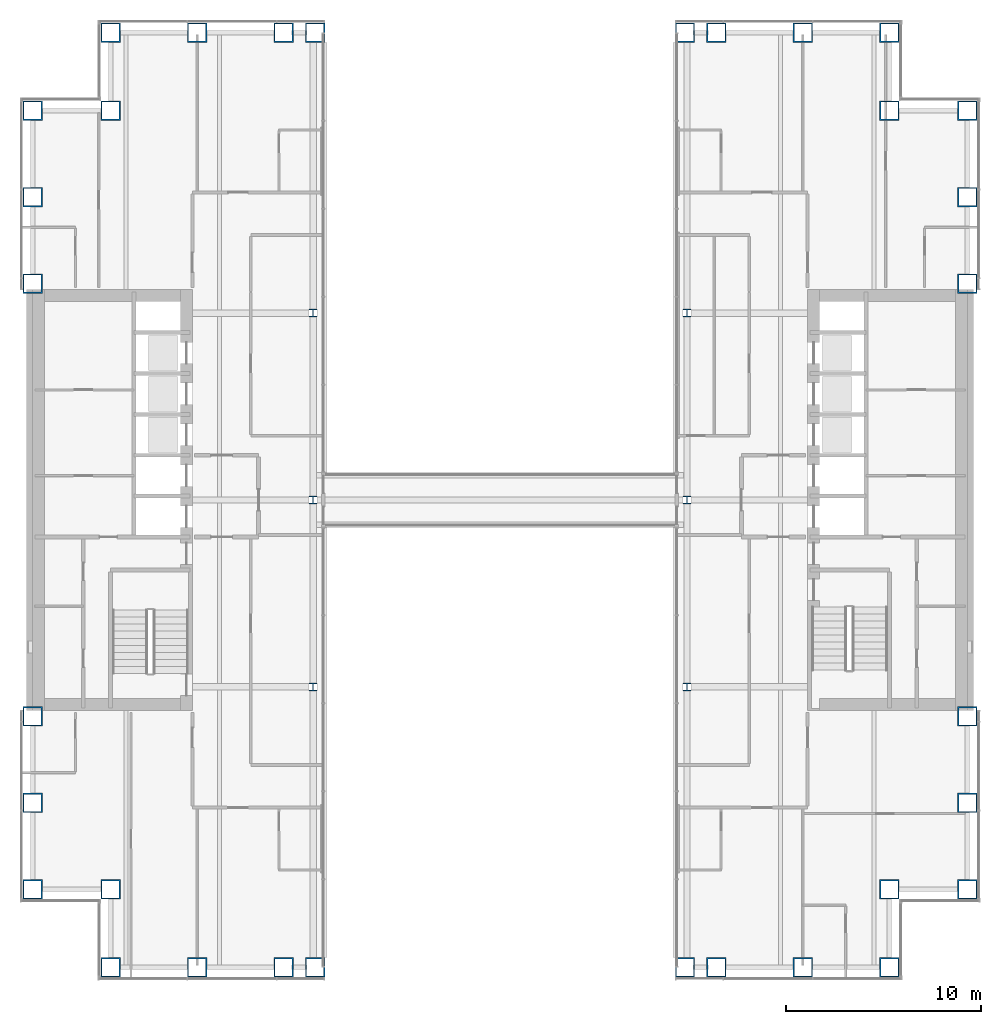
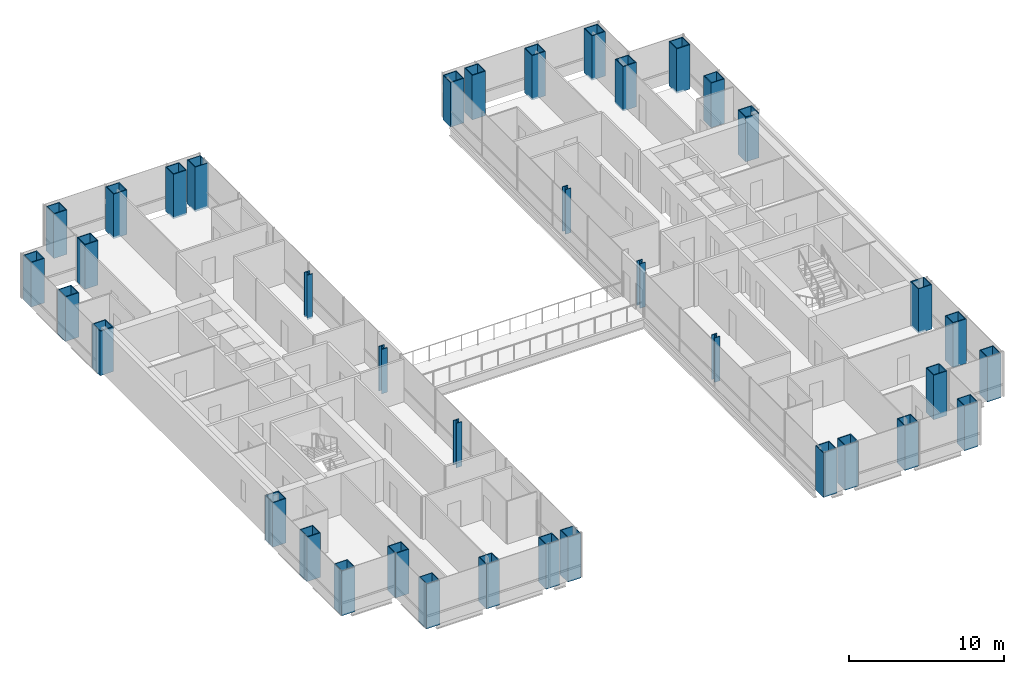
# One storey, part 1 of 19: 38 columns.
"""IFC4 building model written with IfcOpenShell, lengths in metres."""

from ifc_helpers import new_model, si_unit, direction, frame, origin, origin_2d, place, context, subcontext, project, spatial, hollow_rectangle, i_section, extrude, material, material_profile, profile_set, type_object, element, save


model = new_model("IFC4")

# Units and contexts
model_context = context("Model", 3, precision=1e-05, world=origin(), true_north=direction((0.0, 1.0)))
body_context = subcontext(model_context, "Body", "Model", "MODEL_VIEW")
ifc_project = project(units=[si_unit("LENGTHUNIT", "METRE"), si_unit("AREAUNIT", "SQUARE_METRE"), si_unit("VOLUMEUNIT", "CUBIC_METRE"), si_unit("PLANEANGLEUNIT", "RADIAN"), si_unit("MASSUNIT", "GRAM", prefix="KILO")], contexts=[model_context])

# Site, building, storey
site_placement = place(None, origin())
site = spatial("IfcSite", under=ifc_project, at=site_placement, CompositionType="ELEMENT")
building_placement = place(site_placement, origin())
building = spatial("IfcBuilding", under=site, at=building_placement, Name="Cobrizo Arcos Hotel Tower", CompositionType="ELEMENT")
storey_placement = place(building_placement, frame((0.0, 0.0, 63.5)))
storey = spatial("IfcBuildingStorey", under=building, at=storey_placement, Name="L14", CompositionType="ELEMENT", Elevation=63.5)

# Columns
ifc_material_1 = material(Name="Steel ASTM A572 Grade 50", Category="steel")
ifc_material_profile_1 = material_profile(ifc_material_1, hollow_rectangle(XDim=1.0, YDim=1.0, WallThickness=0.06005859375, at=origin_2d()), Name="BOX 1000X1000X60")
ifc_profile_set_1 = profile_set([ifc_material_profile_1], Name="Steel ASTM A572 Grade 50")
column_type_1 = type_object("IfcColumnType", Name="BOX 1000X1000X60 column", PredefinedType="COLUMN", material=ifc_profile_set_1)
for number, where, z_axis, x_axis, name in (
    (1, (-20.0, 24.0, -0.14990234375), (0.0, 0.0, 1.0), (1.0, 0.0, 0.0), "Perimeter column C4, L14, no. 00"),
    (2, (-20.0, -24.0, -0.14990234375), (0.0, 0.0, 1.0), (1.0, 0.0, 0.0), "Perimeter column C4, L14, no. 01"),
    (3, (-15.555908203125, 24.0, -0.14990234375), (0.0, 0.0, 1.0), (1.0, 0.0, 0.0), "Perimeter column C4, L14, no. 02"),
    (4, (-15.555908203125, -24.0, -0.14990234375), (0.0, 0.0, 1.0), (1.0, 0.0, 0.0), "Perimeter column C4, L14, no. 03"),
    (5, (-11.111083984375, 24.0, -0.14990234375), (0.0, 0.0, 1.0), (1.0, 0.0, 0.0), "Perimeter column C4, L14, no. 04"),
    (6, (-11.111083984375, -24.0, -0.14990234375), (0.0, 0.0, 1.0), (1.0, 0.0, 0.0), "Perimeter column C4, L14, no. 05"),
    (7, (11.111083984375, 24.0, -0.14990234375), (0.0, 0.0, 1.0), (1.0, 0.0, 0.0), "Perimeter column C4, L14, no. 06"),
    (8, (11.111083984375, -24.0, -0.14990234375), (0.0, 0.0, 1.0), (1.0, 0.0, 0.0), "Perimeter column C4, L14, no. 07"),
    (9, (15.555908203125, 24.0, -0.14990234375), (0.0, 0.0, 1.0), (1.0, 0.0, 0.0), "Perimeter column C4, L14, no. 08"),
    (10, (15.555908203125, -24.0, -0.14990234375), (0.0, 0.0, 1.0), (1.0, 0.0, 0.0), "Perimeter column C4, L14, no. 09"),
    (11, (20.0, 24.0, -0.14990234375), (0.0, 0.0, 1.0), (1.0, 0.0, 0.0), "Perimeter column C4, L14, no. 10"),
    (12, (20.0, -24.0, -0.14990234375), (0.0, 0.0, 1.0), (1.0, 0.0, 0.0), "Perimeter column C4, L14, no. 11"),
    (13, (24.0, -20.0, -0.14990234375), (0.0, 0.0, 1.0), (1.0, 0.0, 0.0), "Perimeter column C4, L14, no. 12"),
    (14, (-24.0, -20.0, -0.14990234375), (0.0, 0.0, 1.0), (1.0, 0.0, 0.0), "Perimeter column C4, L14, no. 13"),
    (15, (24.0, -15.555908203125, -0.14990234375), (0.0, 0.0, 1.0), (1.0, 0.0, 0.0), "Perimeter column C4, L14, no. 14"),
    (16, (-24.0, -15.555908203125, -0.14990234375), (0.0, 0.0, 1.0), (1.0, 0.0, 0.0), "Perimeter column C4, L14, no. 15"),
    (17, (24.0, -11.111083984375, -0.14990234375), (0.0, 0.0, 1.0), (1.0, 0.0, 0.0), "Perimeter column C4, L14, no. 16"),
    (18, (-24.0, -11.111083984375, -0.14990234375), (0.0, 0.0, 1.0), (1.0, 0.0, 0.0), "Perimeter column C4, L14, no. 17"),
    (19, (24.0, 11.111083984375, -0.14990234375), (0.0, 0.0, 1.0), (1.0, 0.0, 0.0), "Perimeter column C4, L14, no. 18"),
    (20, (-24.0, 11.111083984375, -0.14990234375), (0.0, 0.0, 1.0), (1.0, 0.0, 0.0), "Perimeter column C4, L14, no. 19"),
    (21, (24.0, 15.555908203125, -0.14990234375), (0.0, 0.0, 1.0), (1.0, 0.0, 0.0), "Perimeter column C4, L14, no. 20"),
    (22, (-24.0, 15.555908203125, -0.14990234375), (0.0, 0.0, 1.0), (1.0, 0.0, 0.0), "Perimeter column C4, L14, no. 21"),
    (23, (24.0, 20.0, -0.14990234375), (0.0, 0.0, 1.0), (1.0, 0.0, 0.0), "Perimeter column C4, L14, no. 22"),
    (24, (-24.0, 20.0, -0.14990234375), (0.0, 0.0, 1.0), (1.0, 0.0, 0.0), "Perimeter column C4, L14, no. 23"),
    (25, (-20.0, -20.0, -0.14990234375), (0.0, 0.0, 1.0), (1.0, 0.0, 0.0), "Perimeter column C4, L14, no. 24"),
    (26, (-20.0, 20.0, -0.14990234375), (0.0, 0.0, 1.0), (1.0, 0.0, 0.0), "Perimeter column C4, L14, no. 25"),
    (27, (20.0, -20.0, -0.14990234375), (0.0, 0.0, 1.0), (1.0, 0.0, 0.0), "Perimeter column C4, L14, no. 26"),
    (28, (20.0, 20.0, -0.14990234375), (0.0, 0.0, 1.0), (1.0, 0.0, 0.0), "Perimeter column C4, L14, no. 27"),
    (29, (-9.5, 24.0, -0.14990234375), (0.0, 0.0, 1.0), (1.0, 0.0, 0.0), "Perimeter column C4, L14, no. 28"),
    (30, (-9.5, -24.0, -0.14990234375), (0.0, 0.0, 1.0), (1.0, 0.0, 0.0), "Perimeter column C4, L14, no. 29"),
    (31, (9.5, 24.0, -0.14990234375), (0.0, 0.0, 1.0), (1.0, 0.0, 0.0), "Perimeter column C4, L14, no. 30"),
    (32, (9.5, -24.0, -0.14990234375), (0.0, 0.0, 1.0), (1.0, 0.0, 0.0), "Perimeter column C4, L14, no. 31"),
):
    element("IfcColumn", number, at=place(storey_placement, frame(where, z_axis=z_axis, x_axis=x_axis)), inside=storey, type_object=column_type_1, Name=name, PredefinedType="COLUMN", context=body_context, shape_type="SweptSolid", body=[
        extrude(hollow_rectangle(XDim=1.0, YDim=1.0, WallThickness=0.06005859375, at=origin_2d()), origin(), (0.0, 0.0, 1.0), 3.5),
    ])
ifc_material_2 = material(Name="Steel ASTM A992 Grade 50", Category="steel")
ifc_material_profile_2 = material_profile(ifc_material_2, i_section(OverallWidth=0.408935546875, OverallDepth=0.42431640625, WebThickness=0.03271484375, FlangeThickness=0.052490234375, at=origin_2d()), Name="W14X283")
ifc_profile_set_2 = profile_set([ifc_material_profile_2], Name="Steel ASTM A992 Grade 50")
column_type_2 = type_object("IfcColumnType", Name="W14X283 interior column", PredefinedType="COLUMN", material=ifc_profile_set_2)
for number, where, z_axis, x_axis, name in (
    (33, (-9.60009765625, -9.60009765625, -0.14990234375), (0.0, 0.0, 1.0), (1.0, 0.0, 0.0), "Interior column C5, L14, no. 00"),
    (34, (-9.60009765625, 0.0, -0.14990234375), (0.0, 0.0, 1.0), (1.0, 0.0, 0.0), "Interior column C5, L14, no. 01"),
    (35, (-9.60009765625, 9.60009765625, -0.14990234375), (0.0, 0.0, 1.0), (1.0, 0.0, 0.0), "Interior column C5, L14, no. 02"),
    (36, (9.60009765625, -9.60009765625, -0.14990234375), (0.0, 0.0, 1.0), (1.0, 0.0, 0.0), "Interior column C5, L14, no. 03"),
    (37, (9.60009765625, 0.0, -0.14990234375), (0.0, 0.0, 1.0), (1.0, 0.0, 0.0), "Interior column C5, L14, no. 04"),
    (38, (9.60009765625, 9.60009765625, -0.14990234375), (0.0, 0.0, 1.0), (1.0, 0.0, 0.0), "Interior column C5, L14, no. 05"),
):
    element("IfcColumn", number, at=place(storey_placement, frame(where, z_axis=z_axis, x_axis=x_axis)), inside=storey, type_object=column_type_2, Name=name, PredefinedType="COLUMN", context=body_context, shape_type="SweptSolid", body=[
        extrude(i_section(OverallWidth=0.408935546875, OverallDepth=0.42431640625, WebThickness=0.03271484375, FlangeThickness=0.052490234375, at=origin_2d()), origin(), (0.0, 0.0, 1.0), 3.5),
    ])

save(model, "model.ifc")
